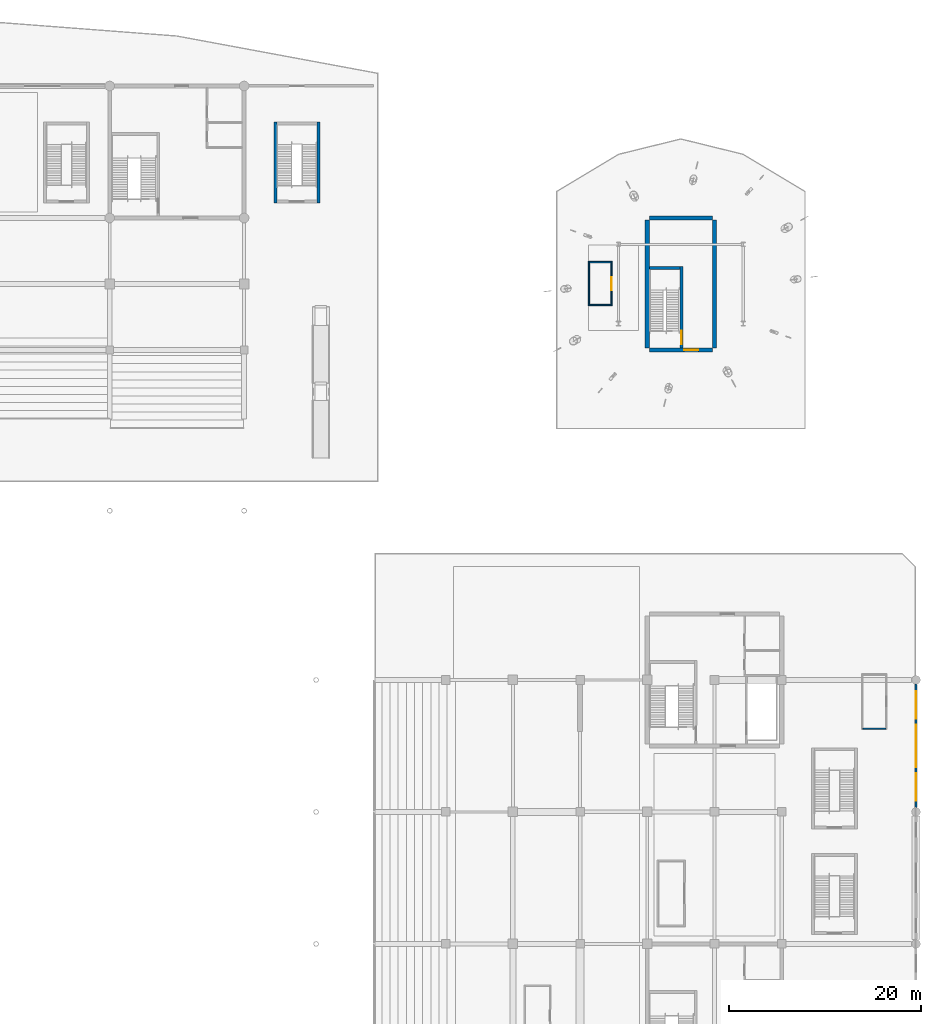
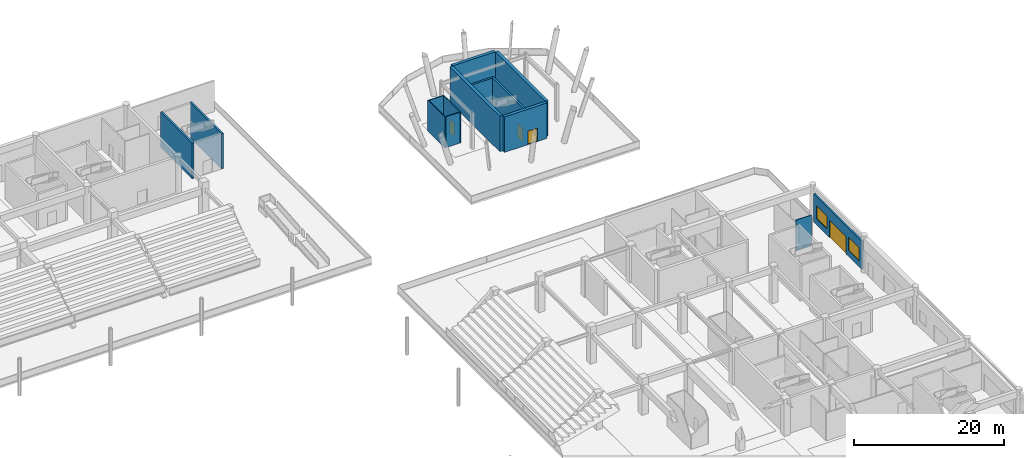
# One storey, part 51 of 73: 14 walls, 4 doors, 2 windows, 6 openings.
"""IFC4 building model written with IfcOpenShell, lengths in metres."""

from ifc_helpers import new_model, si_unit, direction, frame, frame_2d, origin, place, context, subcontext, project, spatial, rectangle, extrude, material, layer, layer_set, type_object, element, fill, save


model = new_model("IFC4")

# Units and contexts
model_context = context("Model", 3, precision=1e-05, world=origin(), true_north=direction((0.0, 1.0)))
body_context = subcontext(model_context, "Body", "Model", "MODEL_VIEW")
ifc_project = project(units=[si_unit("LENGTHUNIT", "METRE"), si_unit("AREAUNIT", "SQUARE_METRE"), si_unit("VOLUMEUNIT", "CUBIC_METRE"), si_unit("PLANEANGLEUNIT", "RADIAN"), si_unit("MASSUNIT", "GRAM", prefix="KILO")], contexts=[model_context])

# Site, building, storey
site_placement = place(None, origin())
site = spatial("IfcSite", under=ifc_project, at=site_placement, CompositionType="ELEMENT")
building_placement = place(site_placement, origin())
building = spatial("IfcBuilding", under=site, at=building_placement, Name="Linyun Crest Stadium", CompositionType="ELEMENT")
storey_placement = place(building_placement, origin())
storey = spatial("IfcBuildingStorey", under=building, at=storey_placement, Name="L01", CompositionType="ELEMENT", Elevation=0.0)

# Walls
ifc_material_1 = material(Name="Concrete C50", Category="concrete")
ifc_layer_1 = layer(ifc_material_1, 0.449951171875)
ifc_layer_set_1 = layer_set([ifc_layer_1], Name="Concrete C50")
wall_type_1 = type_object("IfcWallType", Name="CW03", PredefinedType="SHEAR", material=ifc_layer_set_1)
for number, where, z_axis, x_axis, name in (
    (1, (70.0, 77.97509765625, 0.0), (0.0, 0.0, 1.0), (0.0, 1.0, 0.0), "Core shear wall CW03 CORE-PNE L01.1"),
    (2, (77.0, 77.97509765625, 0.0), (0.0, 0.0, 1.0), (0.0, 1.0, 0.0), "Core shear wall CW03 CORE-PNE L01.2"),
):
    element("IfcWall", number, at=place(storey_placement, frame(where, z_axis=z_axis, x_axis=x_axis)), inside=storey, type_object=wall_type_1, Name=name, PredefinedType="SHEAR", context=body_context, shape_type="SweptSolid", body=[
        extrude(rectangle(XDim=13.2998046875, YDim=0.449951171875, at=frame_2d((6.64990234375, 0.0))), origin(), (0.0, 0.0, 1.0), 5.780029296875),
    ])

# Wall, opening, door
wall_1_placement = place(storey_placement, frame((70.22509765625, 77.75, 0.0), z_axis=(0.0, 0.0, 1.0), x_axis=(1.0, 0.0, 0.0)))
wall_1 = element("IfcWall", 3, at=wall_1_placement, inside=storey, type_object=wall_type_1, Name="Core shear wall CW03 CORE-PNE L01.3", PredefinedType="SHEAR", context=body_context, shape_type="SweptSolid", body=[
    extrude(rectangle(XDim=6.5498046875, YDim=0.449951171875, at=frame_2d((3.27490234375, 0.0))), origin(), (0.0, 0.0, 1.0), 5.780029296875),
])
opening_1_placement = place(wall_1_placement, frame((3.60302734375, 0.0, 0.0)))
opening_1 = element("IfcOpeningElement", 4, at=opening_1_placement, cuts=wall_1, Name="Opening D-L01-389", PredefinedType="OPENING", context=body_context, shape_type="SweptSolid", body=[
    extrude(rectangle(XDim=1.5, YDim=2.199951171875, at=frame_2d((0.75, 1.10009765625))), frame((0.0, 0.23486328125, 0.0), z_axis=(0.0, -1.0, 0.0), x_axis=(1.0, 0.0, 0.0)), (0.0, 0.0, 1.0), 0.469970703125),
])
ifc_material_2 = material(Name="Galvanized steel Class A fire door", Category="steel")
ifc_layer_2 = layer(ifc_material_2, 0.054931640625)
ifc_layer_set_2 = layer_set([ifc_layer_2], Name="Galvanized steel Class A fire door")
door_type_1 = type_object("IfcDoorType", Name="FD01", OperationType="NOTDEFINED", PredefinedType="DOOR", material=ifc_layer_set_2)
door_1_placement = place(opening_1_placement, origin())
door_1 = element("IfcDoor", 5, at=door_1_placement, inside=storey, type_object=door_type_1, Name="Door D-L01-389", OperationType="SINGLE_SWING_LEFT", OverallHeight=2.199951171875, OverallWidth=1.5, PredefinedType="DOOR", context=body_context, shape_type="SweptSolid", body=[
    extrude(rectangle(XDim=1.5, YDim=2.199951171875, at=frame_2d((0.75, 1.10009765625))), frame((0.0, 0.02490234375, 0.0), z_axis=(0.0, -1.0, 0.0), x_axis=(1.0, 0.0, 0.0)), (0.0, 0.0, 1.0), 0.050048828125),
])
fill(opening_1, door_1)

# Wall
wall_2_placement = place(storey_placement, frame((70.22509765625, 91.5, 0.0), z_axis=(0.0, 0.0, 1.0), x_axis=(1.0, 0.0, 0.0)))
element("IfcWall", 6, at=wall_2_placement, inside=storey, type_object=wall_type_1, Name="Core shear wall CW03 CORE-PNE L01.4", PredefinedType="SHEAR", context=body_context, shape_type="SweptSolid", body=[
    extrude(rectangle(XDim=6.5498046875, YDim=0.449951171875, at=frame_2d((3.27490234375, 0.0))), origin(), (0.0, 0.0, 1.0), 5.780029296875),
])

# Wall, openings, door, windows
ifc_material_3 = material(Name="Precast concrete C40 architectural ribbed panel", Category="concrete")
ifc_layer_3 = layer(ifc_material_3, 0.239990234375)
ifc_layer_set_3 = layer_set([ifc_layer_3], Name="Precast concrete C40 architectural ribbed panel")
wall_type_2 = type_object("IfcWallType", Name="EW01", PredefinedType="SOLIDWALL", material=ifc_layer_set_3)
wall_3_placement = place(storey_placement, frame((98.0, 42.93505859375, 0.0), z_axis=(0.0, 0.0, 1.0), x_axis=(0.0, -1.0, 0.0)))
wall_3 = element("IfcWall", 7, at=wall_3_placement, inside=storey, type_object=wall_type_2, Name="Exterior wall EW01 L01 24", PredefinedType="SOLIDWALL", context=body_context, shape_type="SweptSolid", body=[
    extrude(rectangle(XDim=12.8701171875, YDim=0.239990234375, at=frame_2d((6.43505859375, 0.0))), origin(), (0.0, 0.0, 1.0), 4.625),
])
opening_2_placement = place(wall_3_placement, frame((4.235107421875, 0.0, 0.0)))
opening_2 = element("IfcOpeningElement", 8, at=opening_2_placement, cuts=wall_3, Name="Opening E08", PredefinedType="OPENING", context=body_context, shape_type="SweptSolid", body=[
    extrude(rectangle(XDim=4.39990234375, YDim=2.800048828125, at=frame_2d((2.199951171875, 1.39990234375))), frame((0.0, 0.1298828125, 0.0), z_axis=(0.0, -1.0, 0.0), x_axis=(1.0, 0.0, 0.0)), (0.0, 0.0, 1.0), 0.260009765625),
])
opening_3_placement = place(wall_3_placement, frame((0.75, 0.0, 1.0)))
opening_3 = element("IfcOpeningElement", 9, at=opening_3_placement, cuts=wall_3, Name="Opening WN18", PredefinedType="OPENING", context=body_context, shape_type="SweptSolid", body=[
    extrude(rectangle(XDim=2.85009765625, YDim=2.10009765625, at=frame_2d((1.425048828125, 1.050048828125))), frame((0.0, 0.1298828125, 0.0), z_axis=(0.0, -1.0, 0.0), x_axis=(1.0, 0.0, 0.0)), (0.0, 0.0, 1.0), 0.260009765625),
])
opening_4_placement = place(wall_3_placement, frame((9.27001953125, 0.0, 1.0)))
opening_4 = element("IfcOpeningElement", 10, at=opening_4_placement, cuts=wall_3, Name="Opening WN18", PredefinedType="OPENING", context=body_context, shape_type="SweptSolid", body=[
    extrude(rectangle(XDim=2.85009765625, YDim=2.10009765625, at=frame_2d((1.425048828125, 1.050048828125))), frame((0.0, 0.1298828125, 0.0), z_axis=(0.0, -1.0, 0.0), x_axis=(1.0, 0.0, 0.0)), (0.0, 0.0, 1.0), 0.260009765625),
])
ifc_material_4 = material(Name="Verdigris painted steel and laminated glass", Category="steel")
ifc_layer_4 = layer(ifc_material_4, 0.06494140625)
ifc_layer_set_4 = layer_set([ifc_layer_4], Name="Verdigris painted steel and laminated glass")
door_type_2 = type_object("IfcDoorType", Name="ED04", OperationType="NOTDEFINED", PredefinedType="DOOR", material=ifc_layer_set_4)
door_2_placement = place(opening_2_placement, origin())
door_2 = element("IfcDoor", 11, at=door_2_placement, inside=storey, type_object=door_type_2, Name="Main entrance E08", OperationType="DOUBLE_DOOR_SINGLE_SWING", OverallHeight=2.800048828125, OverallWidth=4.39990234375, PredefinedType="DOOR", context=body_context, shape_type="SweptSolid", body=[
    extrude(rectangle(XDim=4.39990234375, YDim=2.800048828125, at=frame_2d((2.199951171875, 1.39990234375))), frame((0.0, 0.02490234375, 0.0), z_axis=(0.0, -1.0, 0.0), x_axis=(1.0, 0.0, 0.0)), (0.0, 0.0, 1.0), 0.050048828125),
])
fill(opening_2, door_2)
ifc_material_5 = material(Name="Salon panoramic arched window")
ifc_layer_5 = layer(ifc_material_5, 0.06494140625)
ifc_layer_set_5 = layer_set([ifc_layer_5], Name="Salon panoramic arched window")
window_type = type_object("IfcWindowType", Name="WN18", PartitioningType="SINGLE_PANEL", PredefinedType="WINDOW", material=ifc_layer_set_5)
window_1_placement = place(opening_3_placement, origin())
window_1 = element("IfcWindow", 12, at=window_1_placement, inside=storey, type_object=window_type, Name="Window WN18 L01 27", OverallHeight=2.10009765625, OverallWidth=2.85009765625, PartitioningType="SINGLE_PANEL", PredefinedType="WINDOW", context=body_context, shape_type="SweptSolid", body=[
    extrude(rectangle(XDim=2.85009765625, YDim=2.10009765625, at=frame_2d((1.425048828125, 1.050048828125))), frame((0.0, 0.030029296875, 0.0), z_axis=(0.0, -1.0, 0.0), x_axis=(1.0, 0.0, 0.0)), (0.0, 0.0, 1.0), 0.06005859375),
])
fill(opening_3, window_1)
window_2_placement = place(opening_4_placement, origin())
window_2 = element("IfcWindow", 13, at=window_2_placement, inside=storey, type_object=window_type, Name="Window WN18 L01 28", OverallHeight=2.10009765625, OverallWidth=2.85009765625, PartitioningType="SINGLE_PANEL", PredefinedType="WINDOW", context=body_context, shape_type="SweptSolid", body=[
    extrude(rectangle(XDim=2.85009765625, YDim=2.10009765625, at=frame_2d((1.425048828125, 1.050048828125))), frame((0.0, 0.030029296875, 0.0), z_axis=(0.0, -1.0, 0.0), x_axis=(1.0, 0.0, 0.0)), (0.0, 0.0, 1.0), 0.06005859375),
])
fill(opening_4, window_2)

# Wall
ifc_material_6 = material(Name="Lightweight demountable office partition")
ifc_layer_6 = layer(ifc_material_6, 0.110107421875)
ifc_layer_set_6 = layer_set([ifc_layer_6], Name="Lightweight demountable office partition")
wall_type_3 = type_object("IfcWallType", Name="PW18", PredefinedType="PARTITIONING", material=ifc_layer_set_6)
wall_4_placement = place(storey_placement, frame((92.471923828125, 38.2890625, 0.0), z_axis=(0.0, 0.0, 1.0), x_axis=(1.0, 0.0, 0.0)))
element("IfcWall", 14, at=wall_4_placement, inside=storey, type_object=wall_type_3, Name="Enclosure partition PW18 L01 218", PredefinedType="PARTITIONING", context=body_context, shape_type="SweptSolid", body=[
    extrude(rectangle(XDim=2.39013671875, YDim=0.110107421875, at=frame_2d((1.195068359375, 0.0))), origin(), (0.0, 0.0, 1.0), 5.02001953125),
])

# Wall, opening, door
ifc_material_7 = material(Name="Impact-resistant community sports hall lining")
ifc_layer_7 = layer(ifc_material_7, 0.135009765625)
ifc_layer_set_7 = layer_set([ifc_layer_7], Name="Impact-resistant community sports hall lining")
wall_type_4 = type_object("IfcWallType", Name="PW19", PredefinedType="PARTITIONING", material=ifc_layer_set_7)
wall_5_placement = place(storey_placement, frame((66.27490234375, 86.968017578125, 0.0), z_axis=(0.0, 0.0, 1.0), x_axis=(0.0, -1.0, 0.0)))
wall_5 = element("IfcWall", 15, at=wall_5_placement, inside=storey, type_object=wall_type_4, Name="Partition PW19 L01 268", PredefinedType="PARTITIONING", context=body_context, shape_type="SweptSolid", body=[
    extrude(rectangle(XDim=4.60009765625, YDim=0.135009765625, at=frame_2d((2.300048828125, 0.0))), origin(), (0.0, 0.0, 1.0), 5.02001953125),
])
opening_5_placement = place(wall_5_placement, frame((1.625, 0.0, 0.0)))
opening_5 = element("IfcOpeningElement", 16, at=opening_5_placement, cuts=wall_5, Name="Opening D-L01-531", PredefinedType="OPENING", context=body_context, shape_type="SweptSolid", body=[
    extrude(rectangle(XDim=1.35009765625, YDim=2.199951171875, at=frame_2d((0.675048828125, 1.10009765625))), frame((0.0, 0.077392578125, 0.0), z_axis=(0.0, -1.0, 0.0), x_axis=(1.0, 0.0, 0.0)), (0.0, 0.0, 1.0), 0.155029296875),
])
ifc_material_8 = material(Name="Wide hospital-grade hygienic door")
ifc_layer_8 = layer(ifc_material_8, 0.050048828125)
ifc_layer_set_8 = layer_set([ifc_layer_8], Name="Wide hospital-grade hygienic door")
door_type_3 = type_object("IfcDoorType", Name="ID12", OperationType="NOTDEFINED", PredefinedType="DOOR", material=ifc_layer_set_8)
door_3_placement = place(opening_5_placement, origin())
door_3 = element("IfcDoor", 17, at=door_3_placement, inside=storey, type_object=door_type_3, Name="Door D-L01-531", OperationType="SINGLE_SWING_LEFT", OverallHeight=2.199951171875, OverallWidth=1.35009765625, PredefinedType="DOOR", context=body_context, shape_type="SweptSolid", body=[
    extrude(rectangle(XDim=1.35009765625, YDim=2.199951171875, at=frame_2d((0.675048828125, 1.10009765625))), frame((0.0, 0.02490234375, 0.0), z_axis=(0.0, -1.0, 0.0), x_axis=(1.0, 0.0, 0.0)), (0.0, 0.0, 1.0), 0.050048828125),
])
fill(opening_5, door_3)

# Walls
wall_6_placement = place(storey_placement, frame((63.925048828125, 82.367919921875, 0.0), z_axis=(0.0, 0.0, 1.0), x_axis=(0.0, 1.0, 0.0)))
element("IfcWall", 18, at=wall_6_placement, inside=storey, type_object=wall_type_4, Name="Enclosure partition PW19 L01 520", PredefinedType="PARTITIONING", context=body_context, shape_type="SweptSolid", body=[
    extrude(rectangle(XDim=4.60009765625, YDim=0.135009765625, at=frame_2d((2.300048828125, 0.0))), origin(), (0.0, 0.0, 1.0), 5.02001953125),
])
for number, where, z_axis, x_axis, name in (
    (19, (63.992919921875, 82.43603515625, 0.0), (0.0, 0.0, 1.0), (1.0, 0.0, 0.0), "Enclosure partition PW19 L01 521"),
    (20, (63.992919921875, 86.89990234375, 0.0), (0.0, 0.0, 1.0), (1.0, 0.0, 0.0), "Enclosure partition PW19 L01 522"),
):
    element("IfcWall", number, at=place(storey_placement, frame(where, z_axis=z_axis, x_axis=x_axis)), inside=storey, type_object=wall_type_4, Name=name, PredefinedType="PARTITIONING", context=body_context, shape_type="SweptSolid", body=[
        extrude(rectangle(XDim=2.214111328125, YDim=0.135009765625, at=frame_2d((1.10693359375, 0.0))), origin(), (0.0, 0.0, 1.0), 5.02001953125),
    ])

# Wall, opening, door
ifc_material_9 = material(Name="Concrete C50", Category="concrete")
ifc_layer_9 = layer(ifc_material_9, 0.300048828125)
ifc_layer_set_9 = layer_set([ifc_layer_9], Name="Concrete C50")
wall_type_5 = type_object("IfcWallType", Name="SW01", PredefinedType="SHEAR", material=ifc_layer_set_9)
wall_7_placement = place(storey_placement, frame((73.550048828125, 77.97509765625, 0.0), z_axis=(0.0, 0.0, 1.0), x_axis=(0.0, 1.0, 0.0)))
wall_7 = element("IfcWall", 21, at=wall_7_placement, inside=storey, type_object=wall_type_5, Name="Core stair east bearing wall SW01 12 L01", PredefinedType="SHEAR", context=body_context, shape_type="SweptSolid", body=[
    extrude(rectangle(XDim=8.474853515625, YDim=0.300048828125, at=frame_2d((4.2373046875, 0.0))), origin(), (0.0, 0.0, 1.0), 5.780029296875),
])
opening_6_placement = place(wall_7_placement, frame((0.344970703125, 0.0, 0.0)))
opening_6 = element("IfcOpeningElement", 22, at=opening_6_placement, cuts=wall_7, Name="Opening D-L01-390", PredefinedType="OPENING", context=body_context, shape_type="SweptSolid", body=[
    extrude(rectangle(XDim=1.449951171875, YDim=2.199951171875, at=frame_2d((0.72509765625, 1.10009765625))), frame((0.0, 0.159912109375, 0.0), z_axis=(0.0, -1.0, 0.0), x_axis=(1.0, 0.0, 0.0)), (0.0, 0.0, 1.0), 0.320068359375),
])
ifc_material_10 = material(Name="Galvanized steel Class A fire door", Category="steel")
ifc_layer_10 = layer(ifc_material_10, 0.054931640625)
ifc_layer_set_10 = layer_set([ifc_layer_10], Name="Galvanized steel Class A fire door")
door_type_4 = type_object("IfcDoorType", Name="FD02", OperationType="NOTDEFINED", PredefinedType="DOOR", material=ifc_layer_set_10)
door_4_placement = place(opening_6_placement, origin())
door_4 = element("IfcDoor", 23, at=door_4_placement, inside=storey, type_object=door_type_4, Name="Door D-L01-390", OperationType="SINGLE_SWING_RIGHT", OverallHeight=2.199951171875, OverallWidth=1.449951171875, PredefinedType="DOOR", context=body_context, shape_type="SweptSolid", body=[
    extrude(rectangle(XDim=1.449951171875, YDim=2.199951171875, at=frame_2d((0.72509765625, 1.10009765625))), frame((0.0, 0.02490234375, 0.0), z_axis=(0.0, -1.0, 0.0), x_axis=(1.0, 0.0, 0.0)), (0.0, 0.0, 1.0), 0.050048828125),
])
fill(opening_6, door_4)

# Walls
wall_8_placement = place(storey_placement, frame((70.22509765625, 86.300048828125, 0.0), z_axis=(0.0, 0.0, 1.0), x_axis=(1.0, 0.0, 0.0)))
element("IfcWall", 24, at=wall_8_placement, inside=storey, type_object=wall_type_5, Name="Core stair bearing wall SW01 12 L01", PredefinedType="SHEAR", context=body_context, shape_type="SweptSolid", body=[
    extrude(rectangle(XDim=3.1748046875, YDim=0.300048828125, at=frame_2d((1.58740234375, 0.0))), origin(), (0.0, 0.0, 1.0), 5.780029296875),
])
for number, where, z_axis, x_axis, name in (
    (25, (31.25, 93.050048828125, 0.0), (0.0, 0.0, 1.0), (0.0, 1.0, 0.0), "Stair shaft wall SW01 STR-26 L01 W"),
    (26, (35.75, 93.050048828125, 0.0), (0.0, 0.0, 1.0), (0.0, 1.0, 0.0), "Stair shaft wall SW01 STR-26 L01 E"),
):
    element("IfcWall", number, at=place(storey_placement, frame(where, z_axis=z_axis, x_axis=x_axis)), inside=storey, type_object=wall_type_5, Name=name, PredefinedType="SHEAR", context=body_context, shape_type="SweptSolid", body=[
        extrude(rectangle(XDim=8.449951171875, YDim=0.300048828125, at=frame_2d((4.22509765625, 0.0))), origin(), (0.0, 0.0, 1.0), 5.780029296875),
    ])

save(model, "model.ifc")
